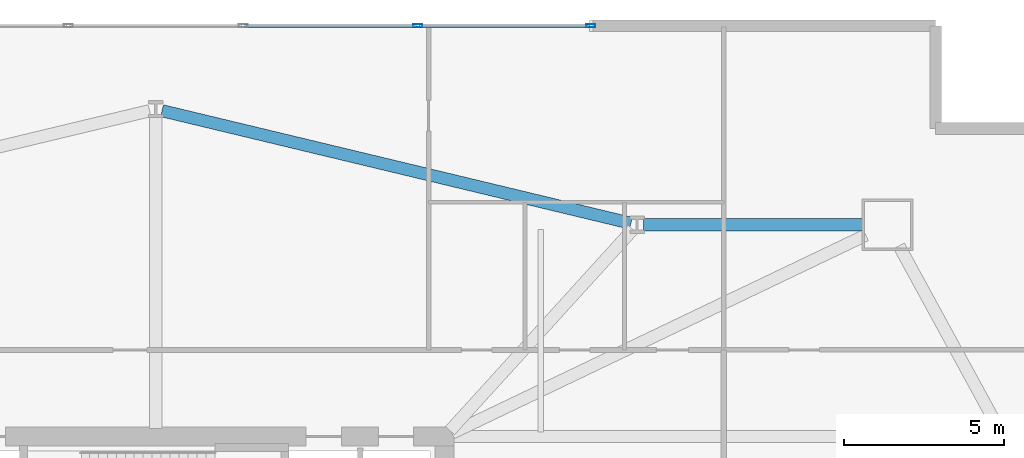
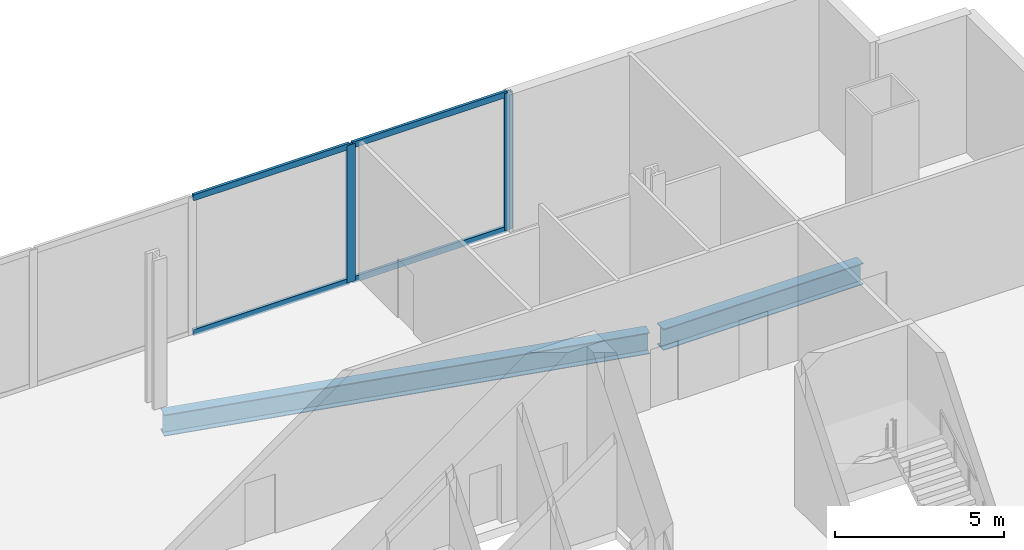
# One storey, part 8 of 16: 6 members, 2 beams, 1 element without a shape of its own.
"""IFC4 building model written with IfcOpenShell, lengths in metres."""

import ifcopenshell
import ifcopenshell.guid

model = None  # the IFC model being written
_history = None  # IfcOwnerHistory: only IFC2X3 demands one
_inside = {}  # id of a spatial element -> (the spatial element, [elements in it])
_under = {}  # id of a project, library or spatial element -> (it, [spatial elements below it])
_declared = {}  # id of a project -> (the project, [libraries it declares])
_typed = {}  # id of a type object -> (the type object, [elements of that type])
_made_of = {}  # id of a material, layer set ... -> (it, [elements and type objects made of it])


def new_model(schema):
    """Start an empty IFC model of exactly this schema.

    Asked for "IFC4X3", IfcOpenShell would pick the latest addendum, in which some entities
    have other attributes; the version numbers below select the first issue.
    IFC2X3 requires an IfcOwnerHistory on every rooted entity: one is made here for all.
    """
    global model, _history
    if schema == "IFC4X3":
        model = ifcopenshell.file(schema_version=(4, 3, 0, 0))
    else:
        model = ifcopenshell.file(schema=schema)
    _inside.clear()
    _under.clear()
    _declared.clear()
    _typed.clear()
    _made_of.clear()
    _history = None
    if model.schema == "IFC2X3":
        org = make("IfcOrganization", Name="unknown")
        user = make(
            "IfcPersonAndOrganization",
            ThePerson=make("IfcPerson", FamilyName="unknown"),
            TheOrganization=org,
        )
        app = make(
            "IfcApplication",
            ApplicationDeveloper=org,
            Version="unknown",
            ApplicationFullName="unknown",
            ApplicationIdentifier="unknown",
        )
        _history = make(
            "IfcOwnerHistory",
            OwningUser=user,
            OwningApplication=app,
            ChangeAction="ADDED",
            CreationDate=0,
        )
    return model


def make(cls, **values):
    """One entity of the class cls with the attributes given. An attribute that is None is left unset."""
    return model.create_entity(
        cls, **{name: value for name, value in values.items() if value is not None}
    )


def rooted(cls, **values):
    """An entity with a GlobalId (a new one), such as an element, a storey or a relation."""
    return make(cls, GlobalId=ifcopenshell.guid.new(), OwnerHistory=_history, **values)


def si_unit(unit_type, name, prefix=None):
    """IfcSIUnit, for example si_unit("LENGTHUNIT", "METRE", prefix="MILLI")."""
    return make("IfcSIUnit", UnitType=unit_type, Prefix=prefix, Name=name)


def assignment(units):
    """IfcUnitAssignment: the units of a project."""
    return None if units is None else make("IfcUnitAssignment", Units=units)


def point(xyz):
    """IfcCartesianPoint."""
    return None if xyz is None else make("IfcCartesianPoint", Coordinates=xyz)


def direction(xyz):
    """IfcDirection."""
    return None if xyz is None else make("IfcDirection", DirectionRatios=xyz)


def frame(location, z_axis=None, x_axis=None):
    """IfcAxis2Placement3D, a coordinate frame: its origin and axes. An axis left out is left unset."""
    return make(
        "IfcAxis2Placement3D",
        Location=point(location),
        Axis=direction(z_axis),
        RefDirection=direction(x_axis),
    )


def frame_2d(location, x_axis=None):
    """IfcAxis2Placement2D, a coordinate frame in the plane: its origin and x axis."""
    return make(
        "IfcAxis2Placement2D", Location=point(location), RefDirection=direction(x_axis)
    )


def origin():
    """The frame at (0, 0, 0) with its axes left unset."""
    return frame((0.0, 0.0, 0.0))


def origin_2d():
    """The frame at (0, 0) in the plane with its x axis left unset."""
    return frame_2d((0.0, 0.0))


def place(relative_to, where):
    """IfcLocalPlacement: puts the frame where relative to a parent placement (None: the world)."""
    return make(
        "IfcLocalPlacement", PlacementRelTo=relative_to, RelativePlacement=where
    )


def context(
    kind, dimensions, precision=None, world=None, true_north=None, identifier=None
):
    """IfcGeometricRepresentationContext, for example the 3D "Model" context."""
    return make(
        "IfcGeometricRepresentationContext",
        ContextIdentifier=identifier,
        ContextType=kind,
        CoordinateSpaceDimension=dimensions,
        Precision=precision,
        WorldCoordinateSystem=world,
        TrueNorth=true_north,
    )


def subcontext(parent, identifier, kind, view, scale=None):
    """IfcGeometricRepresentationSubContext, for example "Body" below "Model"."""
    return make(
        "IfcGeometricRepresentationSubContext",
        ContextIdentifier=identifier,
        ContextType=kind,
        ParentContext=parent,
        TargetScale=scale,
        TargetView=view,
    )


def project(units=None, contexts=None):
    """IfcProject with its units and contexts."""
    return rooted(
        "IfcProject",
        Name="project",
        RepresentationContexts=contexts,
        UnitsInContext=assignment(units),
    )


def spatial(cls, under=None, at=None, **own):
    """A site, building, storey or space (cls), placed at a placement, below another one or the project."""
    s = rooted(cls, ObjectPlacement=at, **own)
    if under is not None:
        _under.setdefault(under.id(), (under, []))[1].append(s)
    return s


def profile(cls, at=None, kind="AREA", **sizes):
    """A parametric profile (cls). Its sizes go by their IFC names, for example OverallWidth=200.0."""
    return make(cls, ProfileType=kind, Position=at, **sizes)


def hollow_rectangle(**sizes):
    """IfcRectangleHollowProfileDef."""
    return profile("IfcRectangleHollowProfileDef", **sizes)


def i_section(**sizes):
    """IfcIShapeProfileDef."""
    return profile("IfcIShapeProfileDef", **sizes)


def extrude(swept, where, along, depth):
    """IfcExtrudedAreaSolid: the profile swept, set in the frame where, extruded along a direction by depth."""
    return make(
        "IfcExtrudedAreaSolid",
        SweptArea=swept,
        Position=where,
        ExtrudedDirection=direction(along),
        Depth=depth,
    )


def shape(context_of_items, identifier, shape_type, items):
    """IfcShapeRepresentation: the items that make up one representation, for example the "Body"."""
    return make(
        "IfcShapeRepresentation",
        ContextOfItems=context_of_items,
        RepresentationIdentifier=identifier,
        RepresentationType=shape_type,
        Items=items,
    )


def material(Name=None, Category=None):
    """IfcMaterial."""
    return make("IfcMaterial", Name=Name, Category=Category)


def material_profile(
    of_material, cross_section, Name=None, Category=None, Priority=None
):
    """IfcMaterialProfile: a cross section and its material."""
    return make(
        "IfcMaterialProfile",
        Name=Name,
        Material=of_material,
        Profile=cross_section,
        Priority=Priority,
        Category=Category,
    )


def profile_set(profiles, Name=None, composite=None):
    """IfcMaterialProfileSet."""
    return make(
        "IfcMaterialProfileSet",
        Name=Name,
        MaterialProfiles=profiles,
        CompositeProfile=composite,
    )


def made_of(thing, what):
    """Note that an element or type object is made of a material, layer set ...; save() writes the relation."""
    if what is not None:
        _made_of.setdefault(what.id(), (what, []))[1].append(thing)
    return thing


def type_object(cls, material=None, **own):
    """A type object (cls), such as IfcWallType, which elements share."""
    return made_of(rooted(cls, **own), material)


def element(
    cls,
    number,
    at=None,
    inside=None,
    cuts=None,
    type_object=None,
    material=None,
    context=None,
    identifier="Body",
    shape_type=None,
    held_by="IfcProductDefinitionShape",
    body=None,
    shapes=None,
    **own,
):
    """One element of the class cls, such as IfcWall. Its Tag is "e" and its number.

    at: its placement. inside: the storey or other place that contains it. cuts: it is an
    opening in that element (IfcRelVoidsElement). A single representation is given by context,
    identifier, shape_type and body (its items); several are given by shapes. held_by: the class
    of the entity that holds the representations. save() writes the other relations.
    """
    e = rooted(cls, Tag="e%d" % number, ObjectPlacement=at, **own)
    if body is not None:
        shapes = [shape(context, identifier, shape_type, body)]
    if shapes is not None:
        e.Representation = make(held_by, Representations=shapes)
    if inside is not None:
        _inside.setdefault(inside.id(), (inside, []))[1].append(e)
    if cuts is not None:
        rooted(
            "IfcRelVoidsElement", RelatingBuildingElement=cuts, RelatedOpeningElement=e
        )
    if type_object is not None:
        _typed.setdefault(type_object.id(), (type_object, []))[1].append(e)
    return made_of(e, material)


def aggregate(whole, parts):
    """IfcRelAggregates: a whole, such as a stair, and the parts it consists of."""
    return rooted("IfcRelAggregates", RelatingObject=whole, RelatedObjects=parts)


def save(model, path):
    """Write the relations noted so far, then the file.

    IfcRelAggregates (storeys below a building ...), IfcRelContainedInSpatialStructure (elements
    in a storey), IfcRelDefinesByType, IfcRelAssociatesMaterial and IfcRelDeclares: one each for
    every whole, place, type object, material and project.
    """
    for whole, parts in _under.values():
        aggregate(whole, parts)
    for where, things in _inside.values():
        rooted(
            "IfcRelContainedInSpatialStructure",
            RelatedElements=things,
            RelatingStructure=where,
        )
    for kind, things in _typed.values():
        rooted("IfcRelDefinesByType", RelatedObjects=things, RelatingType=kind)
    for what, things in _made_of.values():
        rooted("IfcRelAssociatesMaterial", RelatedObjects=things, RelatingMaterial=what)
    for by, libraries in _declared.values():
        rooted("IfcRelDeclares", RelatingContext=by, RelatedDefinitions=libraries)
    model.write(path)


model = new_model("IFC4")

# Units and contexts
model_context = context("Model", 3, precision=1e-05, world=origin(), true_north=direction((0.0, 1.0)))
body_context = subcontext(model_context, "Body", "Model", "MODEL_VIEW")
ifc_project = project(units=[si_unit("LENGTHUNIT", "METRE"), si_unit("AREAUNIT", "SQUARE_METRE"), si_unit("VOLUMEUNIT", "CUBIC_METRE"), si_unit("PLANEANGLEUNIT", "RADIAN"), si_unit("MASSUNIT", "GRAM", prefix="KILO")], contexts=[model_context])

# Site, building, storey
site_placement = place(None, origin())
site = spatial("IfcSite", under=ifc_project, at=site_placement, CompositionType="ELEMENT")
building_placement = place(site_placement, origin())
building = spatial("IfcBuilding", under=site, at=building_placement, Name="Haldenkirk Collegiate Tower", CompositionType="ELEMENT")
storey_placement = place(building_placement, frame((0.0, 0.0, 16.800048828125)))
storey = spatial("IfcBuildingStorey", under=building, at=storey_placement, Name="L03", CompositionType="ELEMENT", Elevation=16.800048828125)

# Beams
ifc_material_1 = material(Name="Steel ASTM A992 Grade 50", Category="steel")
ifc_material_profile_1 = material_profile(ifc_material_1, i_section(OverallWidth=0.381103515625, OverallDepth=0.77294921875, WebThickness=0.0166015625, FlangeThickness=0.027099609375, at=origin_2d()), Name="W30X173")
ifc_profile_set_1 = profile_set([ifc_material_profile_1], Name="Steel ASTM A992 Grade 50")
beam_type = type_object("IfcBeamType", Name="BM-GIRDER-W30X173", PredefinedType="BEAM", material=ifc_profile_set_1)
beam_1_placement = place(storey_placement, frame((58.050048828125, 40.60009765625, -0.716552734375), z_axis=(-1.0, 0.0, 0.0), x_axis=(0.0, -1.0, 0.0)))
element("IfcBeam", 1, at=beam_1_placement, inside=storey, type_object=beam_type, Name="L03 podium ring girder 08", PredefinedType="BEAM", context=body_context, shape_type="SweptSolid", body=[
    extrude(i_section(OverallWidth=0.381103515625, OverallDepth=0.77294921875, WebThickness=0.0166015625, FlangeThickness=0.027099609375, at=origin_2d()), origin(), (0.0, 0.0, 1.0), 6.85009765625),
])
beam_2_placement = place(storey_placement, frame((50.805419921875, 40.646728515625, -0.716552734375), z_axis=(-0.972387449467, 0.233372337946, 0.0), x_axis=(-0.233372337946, -0.972387449467, 0.0)))
element("IfcBeam", 2, at=beam_2_placement, inside=storey, type_object=beam_type, Name="L03 podium ring girder 09", PredefinedType="BEAM", context=body_context, shape_type="SweptSolid", body=[
    extrude(i_section(OverallWidth=0.381103515625, OverallDepth=0.77294921875, WebThickness=0.0166015625, FlangeThickness=0.027099609375, at=origin_2d()), origin(), (0.0, 0.0, 1.0), 15.025634765625),
])

# Curtain wall, members
ifc_material_2 = material(Name="Anodised architectural bronze aluminium", Category="aluminium")
curtain_wall_type = type_object("IfcCurtainWallType", Name="CW-SYS3-PODIUM", PredefinedType="USERDEFINED", material=ifc_material_2)
curtain_wall_placement = place(storey_placement, origin())
curtain_wall = element("IfcCurtainWall", 3, at=curtain_wall_placement, inside=storey, type_object=curtain_wall_type, Name="L03 Podium campus concourse and library storefront curtain wall", ObjectType="UNITISED CURTAIN WALL", PredefinedType="USERDEFINED")
ifc_material_profile_2 = material_profile(ifc_material_2, hollow_rectangle(XDim=0.094970703125, YDim=0.280029296875, WallThickness=0.0048828125, at=origin_2d()), Name="CW-MUL-03")
ifc_profile_set_2 = profile_set([ifc_material_profile_2], Name="Anodised architectural bronze aluminium")
member_type_1 = type_object("IfcMemberType", Name="CW-MUL-03", PredefinedType="MULLION", material=ifc_profile_set_2)
member_1_placement = place(storey_placement, frame((44.164794921875, 46.800048828125, 0.0), z_axis=(0.0, 0.0, 1.0), x_axis=(0.0, 1.0, 0.0)))
member_1 = element("IfcMember", 4, at=member_1_placement, type_object=member_type_1, Name="CW-03 mullion 5", PredefinedType="MULLION", context=body_context, shape_type="SweptSolid", body=[
    extrude(hollow_rectangle(XDim=0.094970703125, YDim=0.280029296875, WallThickness=0.0048828125, at=origin_2d()), origin(), (0.0, 0.0, 1.0), 4.97998046875),
])
member_2_placement = place(storey_placement, frame((49.560546875, 46.800048828125, 0.0), z_axis=(0.0, 0.0, 1.0), x_axis=(0.0, 1.0, 0.0)))
member_2 = element("IfcMember", 5, at=member_2_placement, type_object=member_type_1, Name="CW-03 mullion 6", PredefinedType="MULLION", context=body_context, shape_type="SweptSolid", body=[
    extrude(hollow_rectangle(XDim=0.094970703125, YDim=0.280029296875, WallThickness=0.0048828125, at=origin_2d()), origin(), (0.0, 0.0, 1.0), 4.97998046875),
])
ifc_material_profile_3 = material_profile(ifc_material_2, hollow_rectangle(XDim=0.094970703125, YDim=0.219970703125, WallThickness=0.0048828125, at=origin_2d()), Name="CW-TRN-03")
ifc_profile_set_3 = profile_set([ifc_material_profile_3], Name="Anodised architectural bronze aluminium")
member_type_2 = type_object("IfcMemberType", Name="CW-TRN-03", PredefinedType="USERDEFINED", material=ifc_profile_set_3)
member_3_placement = place(storey_placement, frame((38.76904296875, 46.800048828125, 0.04736328125), z_axis=(1.0, 0.0, 0.0), x_axis=(0.0, 1.0, 0.0)))
member_3 = element("IfcMember", 6, at=member_3_placement, type_object=member_type_2, Name="CW-03 transom 4.1", ObjectType="TRANSOM", PredefinedType="USERDEFINED", context=body_context, shape_type="SweptSolid", body=[
    extrude(hollow_rectangle(XDim=0.094970703125, YDim=0.219970703125, WallThickness=0.0048828125, at=origin_2d()), origin(), (0.0, 0.0, 1.0), 5.34814453125),
])
member_4_placement = place(storey_placement, frame((38.76904296875, 46.800048828125, 4.932373046875), z_axis=(1.0, 0.0, 0.0), x_axis=(0.0, 1.0, 0.0)))
member_4 = element("IfcMember", 7, at=member_4_placement, type_object=member_type_2, Name="CW-03 transom 4.2", ObjectType="TRANSOM", PredefinedType="USERDEFINED", context=body_context, shape_type="SweptSolid", body=[
    extrude(hollow_rectangle(XDim=0.094970703125, YDim=0.219970703125, WallThickness=0.0048828125, at=origin_2d()), origin(), (0.0, 0.0, 1.0), 5.34814453125),
])
member_5_placement = place(storey_placement, frame((44.21240234375, 46.800048828125, 0.04736328125), z_axis=(1.0, 0.0, 0.0), x_axis=(0.0, 1.0, 0.0)))
member_5 = element("IfcMember", 8, at=member_5_placement, type_object=member_type_2, Name="CW-03 transom 5.1", ObjectType="TRANSOM", PredefinedType="USERDEFINED", context=body_context, shape_type="SweptSolid", body=[
    extrude(hollow_rectangle(XDim=0.094970703125, YDim=0.219970703125, WallThickness=0.0048828125, at=origin_2d()), origin(), (0.0, 0.0, 1.0), 5.300537109375),
])
member_6_placement = place(storey_placement, frame((44.21240234375, 46.800048828125, 4.932373046875), z_axis=(1.0, 0.0, 0.0), x_axis=(0.0, 1.0, 0.0)))
member_6 = element("IfcMember", 9, at=member_6_placement, type_object=member_type_2, Name="CW-03 transom 5.2", ObjectType="TRANSOM", PredefinedType="USERDEFINED", context=body_context, shape_type="SweptSolid", body=[
    extrude(hollow_rectangle(XDim=0.094970703125, YDim=0.219970703125, WallThickness=0.0048828125, at=origin_2d()), origin(), (0.0, 0.0, 1.0), 5.300537109375),
])
aggregate(curtain_wall, [member_1, member_2, member_3, member_4, member_5, member_6])

save(model, "model.ifc")
